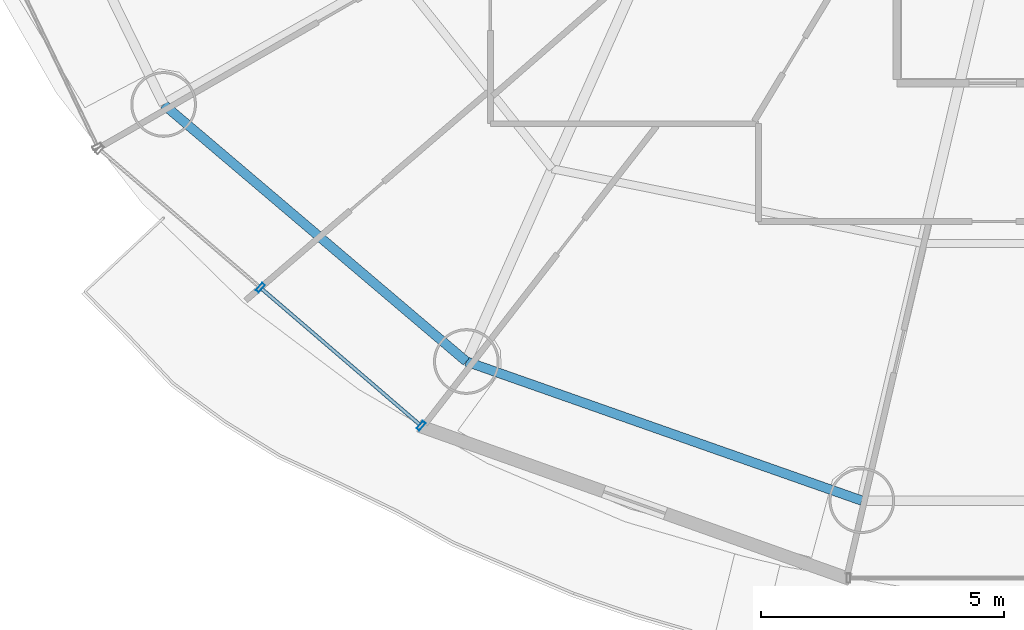
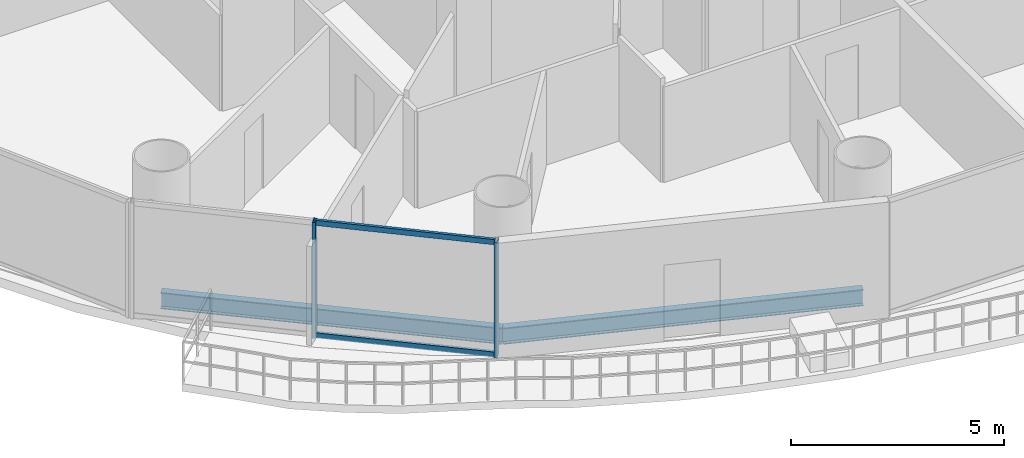
# One storey, part 2 of 27: 4 members, 2 beams, 1 element without a shape of its own.
"""IFC4 building model written with IfcOpenShell, lengths in metres."""

from ifc_helpers import new_model, si_unit, direction, frame, origin, origin_2d, place, context, subcontext, project, spatial, hollow_rectangle, i_section, extrude, source, transform, mapped, material, material_profile, profile_set, type_object, element, aggregate, save


model = new_model("IFC4")

# Units and contexts
model_context = context("Model", 3, precision=1e-05, world=origin(), true_north=direction((-0.2419218956, 0.970295726276)))
body_context = subcontext(model_context, "Body", "Model", "MODEL_VIEW")
ifc_project = project(units=[si_unit("LENGTHUNIT", "METRE"), si_unit("AREAUNIT", "SQUARE_METRE"), si_unit("VOLUMEUNIT", "CUBIC_METRE"), si_unit("PLANEANGLEUNIT", "RADIAN"), si_unit("MASSUNIT", "GRAM", prefix="KILO")], contexts=[model_context])

# Site, building, storey
site_placement = place(None, origin())
site = spatial("IfcSite", under=ifc_project, at=site_placement, CompositionType="ELEMENT")
building_placement = place(site_placement, origin())
building = spatial("IfcBuilding", under=site, at=building_placement, Name="Cobrevalo Terracotta Tower", CompositionType="ELEMENT")
storey_placement = place(building_placement, frame((0.0, 0.0, 157.0)))
storey = spatial("IfcBuildingStorey", under=building, at=storey_placement, Name="L41", CompositionType="ELEMENT", Elevation=157.0)

# Beams
ifc_material_1 = material(Name="Steel S355", Category="steel")
ifc_material_profile_1 = material_profile(ifc_material_1, i_section(OverallWidth=0.194091796875, OverallDepth=0.468994140625, WebThickness=0.011474609375, FlangeThickness=0.0205078125, at=origin_2d()), Name="W 460x106")
ifc_profile_set_1 = profile_set([ifc_material_profile_1], Name="Steel S355")
beam_type = type_object("IfcBeamType", Name="Structural Spandrel W 460x106 (Steel S355)", PredefinedType="SPANDREL", material=ifc_profile_set_1)
beam_1_placement = place(storey_placement, frame((19.250244140625, 16.160888671875, -0.50439453125), z_axis=(0.762240337798, -0.647294112003, 0.0), x_axis=(0.647294112003, 0.762240337798, 0.0)))
element("IfcBeam", 1, at=beam_1_placement, inside=storey, type_object=beam_type, Name="L41 perimeter ring spandrel 10", PredefinedType="SPANDREL", context=body_context, shape_type="SweptSolid", body=[
    extrude(i_section(OverallWidth=0.194091796875, OverallDepth=0.468994140625, WebThickness=0.011474609375, FlangeThickness=0.0205078125, at=origin_2d()), origin(), (0.0, 0.0, 1.0), 8.162353515625),
])
beam_2_placement = place(storey_placement, frame((25.471923828125, 10.87744140625, -0.50439453125), z_axis=(0.943341298492, -0.331824041565, 0.0), x_axis=(0.331824041565, 0.943341298492, 0.0)))
element("IfcBeam", 2, at=beam_2_placement, inside=storey, type_object=beam_type, Name="L41 perimeter ring spandrel 11", PredefinedType="SPANDREL", context=body_context, shape_type="SweptSolid", body=[
    extrude(i_section(OverallWidth=0.194091796875, OverallDepth=0.468994140625, WebThickness=0.011474609375, FlangeThickness=0.0205078125, at=origin_2d()), origin(), (0.0, 0.0, 1.0), 8.6171875),
])

# Curtain wall, members
ifc_material_2 = material(Name="Anodized aluminium", Category="aluminium")
curtain_wall_type = type_object("IfcCurtainWallType", Name="Mid-tower high-wind unitised curtain wall CW-U2", PredefinedType="NOTDEFINED", material=ifc_material_2)
curtain_wall_placement = place(storey_placement, origin())
curtain_wall = element("IfcCurtainWall", 3, at=curtain_wall_placement, inside=storey, type_object=curtain_wall_type, Name="L41 curtain wall CW-L41-S10", PredefinedType="NOTDEFINED")
ifc_material_profile_2 = material_profile(ifc_material_2, hollow_rectangle(XDim=0.074951171875, YDim=0.199951171875, WallThickness=0.0048828125, at=origin_2d()), Name="CWM 75x200")
ifc_profile_set_2 = profile_set([ifc_material_profile_2], Name="Anodized aluminium")
member_type_1 = type_object("IfcMemberType", Name="Lower/mid tower unitised mullion 75x200", PredefinedType="MULLION", material=ifc_profile_set_2)
shared_shape_1 = source(origin(), body_context, "Body", "SweptSolid", [
    extrude(hollow_rectangle(XDim=0.074951171875, YDim=0.199951171875, WallThickness=0.0048828125, at=origin_2d()), origin(), (0.0, 0.0, 1.0), 3.330078125),
])
member_1_placement = place(storey_placement, frame((21.237548828125, 12.3955078125, 0.0), z_axis=(0.0, 0.0, 1.0), x_axis=(0.758441546142, -0.65174106905, 0.0)))
member_1 = element("IfcMember", 4, at=member_1_placement, type_object=member_type_1, Name="CW-L41-S10 vertical mullion 02", PredefinedType="MULLION", context=body_context, shape_type="MappedRepresentation", body=[
    mapped(shared_shape_1, transform((0.0, 0.0, 0.0), scale=1.0)),
])
member_2_placement = place(storey_placement, frame((24.54150390625, 9.556396484375, 0.0), z_axis=(0.0, 0.0, 1.0), x_axis=(0.758441546142, -0.65174106905, 0.0)))
member_2 = element("IfcMember", 5, at=member_2_placement, type_object=member_type_1, Name="CW-L41-S10 vertical mullion 03", PredefinedType="MULLION", context=body_context, shape_type="MappedRepresentation", body=[
    mapped(shared_shape_1, transform((0.0, 0.0, 0.0), scale=1.0)),
])
ifc_material_profile_3 = material_profile(ifc_material_2, hollow_rectangle(XDim=0.074951171875, YDim=0.14990234375, WallThickness=0.00439453125, at=origin_2d()), Name="CWT 75x150")
ifc_profile_set_3 = profile_set([ifc_material_profile_3], Name="Anodized aluminium")
member_type_2 = type_object("IfcMemberType", Name="Tower unitised aluminium transom 75x150", PredefinedType="USERDEFINED", material=ifc_profile_set_3)
shared_shape_2 = source(origin(), body_context, "Body", "SweptSolid", [
    extrude(hollow_rectangle(XDim=0.074951171875, YDim=0.14990234375, WallThickness=0.00439453125, at=origin_2d()), origin(), (0.0, 0.0, 1.0), 4.276123046875),
])
member_3_placement = place(storey_placement, frame((21.26806640625, 12.36962890625, 0.050048828125), z_axis=(0.758417719247, -0.651768795764, 0.0), x_axis=(0.651768795764, 0.758417719247, 0.0)))
member_3 = element("IfcMember", 6, at=member_3_placement, type_object=member_type_2, Name="CW-L41-S10 transom B02-T1", ObjectType="TRANSOM", PredefinedType="USERDEFINED", context=body_context, shape_type="MappedRepresentation", body=[
    mapped(shared_shape_2, transform((0.0, 0.0, 0.0), scale=1.0)),
])
member_4_placement = place(storey_placement, frame((21.26806640625, 12.36962890625, 3.280029296875), z_axis=(0.758417719247, -0.651768795764, 0.0), x_axis=(0.651768795764, 0.758417719247, 0.0)))
member_4 = element("IfcMember", 7, at=member_4_placement, type_object=member_type_2, Name="CW-L41-S10 transom B02-T2", ObjectType="TRANSOM", PredefinedType="USERDEFINED", context=body_context, shape_type="MappedRepresentation", body=[
    mapped(shared_shape_2, transform((0.0, 0.0, 0.0), scale=1.0)),
])
aggregate(curtain_wall, [member_1, member_2, member_3, member_4])

save(model, "model.ifc")
